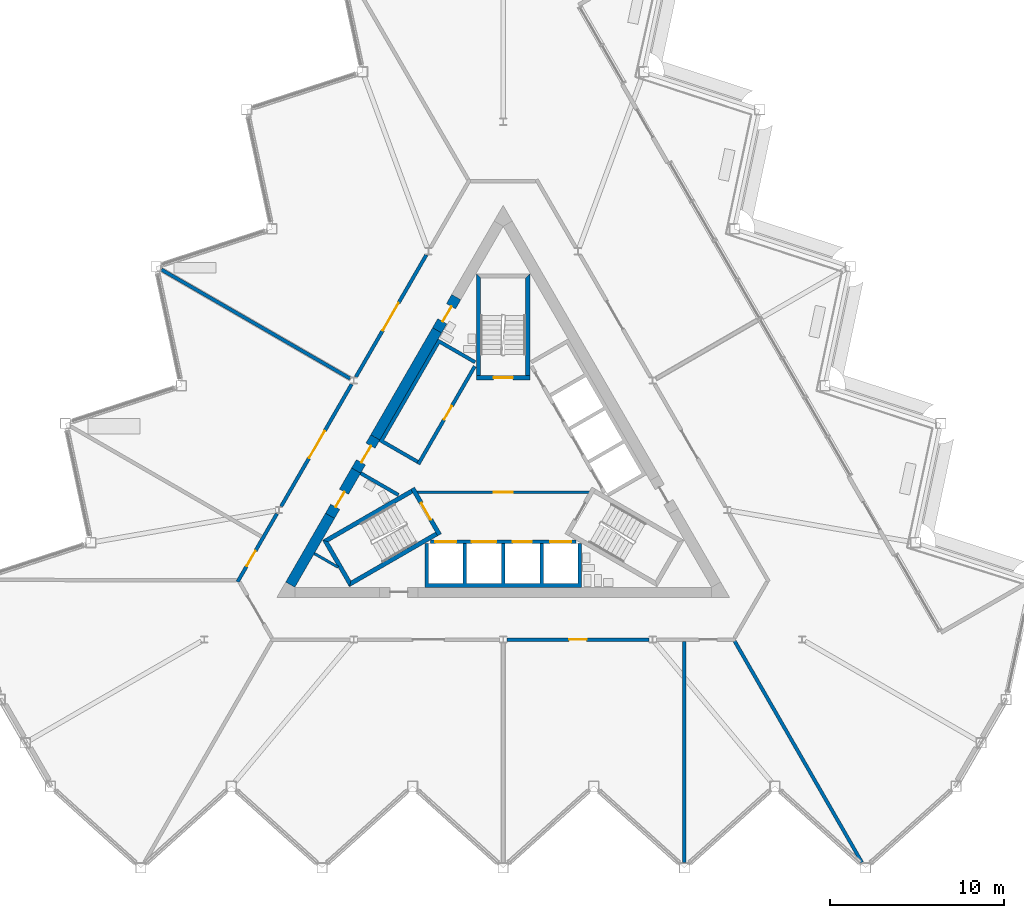
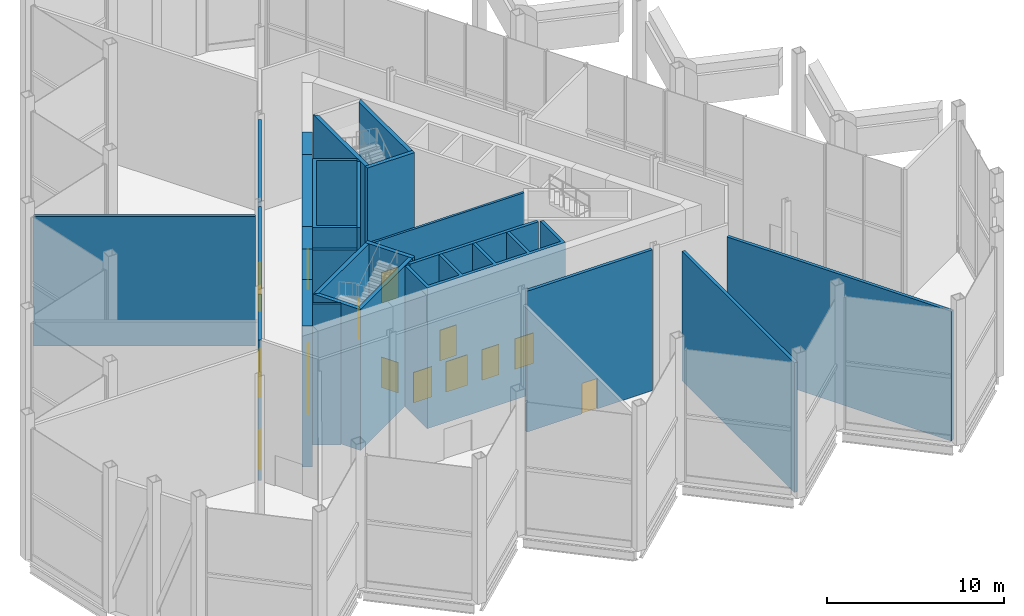
# One storey, part 9 of 18: 26 walls, 15 doors, 15 openings.
"""IFC4 building model written with IfcOpenShell, lengths in metres."""

from ifc_helpers import new_model, si_unit, direction, frame, frame_2d, origin, place, context, subcontext, project, spatial, polyline, rectangle, outline, extrude, material, layer, layer_set, type_object, element, fill, save


model = new_model("IFC4")

# Units and contexts
model_context = context("Model", 3, precision=1e-05, world=origin(), true_north=direction((0.0, 1.0)))
body_context = subcontext(model_context, "Body", "Model", "MODEL_VIEW")
ifc_project = project(units=[si_unit("LENGTHUNIT", "METRE"), si_unit("AREAUNIT", "SQUARE_METRE"), si_unit("VOLUMEUNIT", "CUBIC_METRE"), si_unit("PLANEANGLEUNIT", "RADIAN"), si_unit("MASSUNIT", "GRAM", prefix="KILO")], contexts=[model_context])

# Site, building, storey
site_placement = place(None, origin())
site = spatial("IfcSite", under=ifc_project, at=site_placement, CompositionType="ELEMENT")
building_placement = place(site_placement, origin())
building = spatial("IfcBuilding", under=site, at=building_placement, Name="Cormorant Prow Tower", CompositionType="ELEMENT")
storey_placement = place(building_placement, frame((0.0, 0.0, 346.0)))
storey = spatial("IfcBuildingStorey", under=building, at=storey_placement, Name="L78", CompositionType="ELEMENT", Elevation=346.0)

# Wall, opening, door
ifc_material_1 = material(Name="Gypsum board partition")
ifc_layer_1 = layer(ifc_material_1, 0.14990234375)
ifc_layer_set_1 = layer_set([ifc_layer_1], Name="Gypsum board partition")
wall_type_1 = type_object("IfcWallType", Name="Core partition 150", PredefinedType="PARTITIONING", material=ifc_layer_set_1)
wall_1_placement = place(storey_placement, frame((-4.941162109375, -1.449951171875, 0.0), z_axis=(0.0, 0.0, 1.0), x_axis=(1.0, 0.0, 0.0)))
wall_1 = element("IfcWall", 1, at=wall_1_placement, inside=storey, type_object=wall_type_1, Name="Firefighting lobby partition", PredefinedType="PARTITIONING", context=body_context, shape_type="SweptSolid", body=[
    extrude(rectangle(XDim=9.88232421875, YDim=0.14990234375, at=frame_2d((4.941162109375, 0.0))), origin(), (0.0, 0.0, 1.0), 9.699951171875),
])
opening_1_placement = place(wall_1_placement, frame((4.39111328125, 0.0, 0.0)))
opening_1 = element("IfcOpeningElement", 2, at=opening_1_placement, cuts=wall_1, Name="Opening L78-C10", PredefinedType="OPENING", context=body_context, shape_type="SweptSolid", body=[
    extrude(rectangle(XDim=1.10009765625, YDim=2.10009765625, at=frame_2d((0.550048828125, 1.050048828125))), frame((0.0, 0.0849609375, 0.0), z_axis=(0.0, -1.0, 0.0), x_axis=(1.0, 0.0, 0.0)), (0.0, 0.0, 1.0), 0.169921875),
])
ifc_material_2 = material(Name="Painted steel", Category="steel")
door_type_1 = type_object("IfcDoorType", Name="Firefighting lobby door 1100x2100", OperationType="NOTDEFINED", PredefinedType="DOOR", material=ifc_material_2)
door_1_placement = place(opening_1_placement, origin())
door_1 = element("IfcDoor", 3, at=door_1_placement, inside=storey, type_object=door_type_1, Name="Firefighting lobby door", OperationType="SINGLE_SWING_RIGHT", OverallHeight=2.10009765625, OverallWidth=1.10009765625, PredefinedType="DOOR", context=body_context, shape_type="SweptSolid", body=[
    extrude(rectangle(XDim=1.10009765625, YDim=2.10009765625, at=frame_2d((0.550048828125, 1.050048828125))), frame((0.0, 0.02490234375, 0.0), z_axis=(0.0, -1.0, 0.0), x_axis=(1.0, 0.0, 0.0)), (0.0, 0.0, 1.0), 0.050048828125),
])
fill(opening_1, door_1)

# Walls
wall_2_placement = place(storey_placement, frame((-10.841796875, -4.96728515625, 0.0), z_axis=(0.0, 0.0, 1.0), x_axis=(0.866098216386, -0.499873863663, 0.0)))
element("IfcWall", 4, at=wall_2_placement, inside=storey, type_object=wall_type_1, Name="Service room partition", PredefinedType="PARTITIONING", context=body_context, shape_type="SweptSolid", body=[
    extrude(rectangle(XDim=1.58203125, YDim=0.14990234375, at=frame_2d((0.791015625, 0.0))), origin(), (0.0, 0.0, 1.0), 9.699951171875),
])
ifc_material_3 = material(Name="Concrete 8000 psi", Category="concrete")
ifc_layer_2 = layer(ifc_material_3, 0.60009765625)
ifc_layer_set_2 = layer_set([ifc_layer_2], Name="Concrete 8000 psi")
wall_type_2 = type_object("IfcWallType", Name="Core shear wall 600", PredefinedType="SHEAR", material=ifc_layer_set_2)
wall_3_placement = place(storey_placement, frame((-3.794189453125, 7.839599609375, 0.0), z_axis=(0.0, 0.0, 1.0), x_axis=(-0.499974747889, -0.866039982607, 0.0)))
element("IfcWall", 5, at=wall_3_placement, inside=storey, type_object=wall_type_2, Name="Core wall", PredefinedType="SHEAR", context=body_context, shape_type="SweptSolid", body=[
    extrude(rectangle(XDim=7.092041015625, YDim=0.60009765625, at=frame_2d((3.5458984375, 0.0))), origin(), (0.0, 0.0, 1.0), 9.699951171875),
])
wall_4_placement = place(storey_placement, frame((-9.94091796875, -2.80712890625, 0.0), z_axis=(0.0, 0.0, 1.0), x_axis=(-0.500020646047, -0.866013483456, 0.0)))
element("IfcWall", 6, at=wall_4_placement, inside=storey, type_object=wall_type_2, Name="Core wall", PredefinedType="SHEAR", context=body_context, shape_type="SweptSolid", body=[
    extrude(rectangle(XDim=4.559326171875, YDim=0.60009765625, at=frame_2d((2.27978515625, 0.0))), origin(), (0.0, 0.0, 1.0), 9.699951171875),
])

# Wall, opening, door
wall_5_placement = place(storey_placement, frame((-8.440185546875, -0.207763671875, 0.0), z_axis=(0.0, 0.0, 1.0), x_axis=(-0.499997052475, -0.866027105532, 0.0)))
wall_5 = element("IfcWall", 7, at=wall_5_placement, inside=storey, type_object=wall_type_2, Name="Core wall door panel", PredefinedType="SHEAR", context=body_context, shape_type="SweptSolid", body=[
    extrude(rectangle(XDim=3.00146484375, YDim=0.60009765625, at=frame_2d((1.500732421875, 0.0))), origin(), (0.0, 0.0, 1.0), 9.699951171875),
])
opening_2_placement = place(wall_5_placement, frame((1.39990234375, 0.0, 0.0)))
opening_2 = element("IfcOpeningElement", 8, at=opening_2_placement, cuts=wall_5, Name="Opening L78-C16", PredefinedType="OPENING", context=body_context, shape_type="SweptSolid", body=[
    extrude(rectangle(XDim=1.0, YDim=2.10009765625, at=frame_2d((0.5, 1.050048828125))), frame((0.0, 0.31005859375, 0.0), z_axis=(0.0, -1.0, 0.0), x_axis=(1.0, 0.0, 0.0)), (0.0, 0.0, 1.0), 0.6201171875),
])
ifc_material_4 = material(Name="Painted steel", Category="steel")
door_type_2 = type_object("IfcDoorType", Name="Service door 1000x2100", OperationType="NOTDEFINED", PredefinedType="DOOR", material=ifc_material_4)
door_2_placement = place(opening_2_placement, origin())
door_2 = element("IfcDoor", 9, at=door_2_placement, inside=storey, type_object=door_type_2, Name="Core door, Accessible WC L78", OperationType="SINGLE_SWING_RIGHT", OverallHeight=2.10009765625, OverallWidth=1.0, PredefinedType="DOOR", context=body_context, shape_type="SweptSolid", body=[
    extrude(rectangle(XDim=1.0, YDim=2.10009765625, at=frame_2d((0.5, 1.050048828125))), frame((0.0, 0.05517578125, 0.0), z_axis=(0.0, -1.0, 0.0), x_axis=(1.0, 0.0, 0.0)), (0.0, 0.0, 1.0), 0.050048828125),
])
fill(opening_2, door_2)

wall_6_placement = place(storey_placement, frame((-2.694091796875, 9.744873046875, 0.0), z_axis=(0.0, 0.0, 1.0), x_axis=(-0.50002983664, -0.866008176907, 0.0)))
wall_6 = element("IfcWall", 10, at=wall_6_placement, inside=storey, type_object=wall_type_2, Name="Core wall door panel", PredefinedType="SHEAR", context=body_context, shape_type="SweptSolid", body=[
    extrude(rectangle(XDim=2.199951171875, YDim=0.60009765625, at=frame_2d((1.10009765625, 0.0))), origin(), (0.0, 0.0, 1.0), 9.699951171875),
])
opening_3_placement = place(wall_6_placement, frame((0.60009765625, 0.0, 0.0)))
opening_3 = element("IfcOpeningElement", 11, at=opening_3_placement, cuts=wall_6, Name="Opening L78-C17", PredefinedType="OPENING", context=body_context, shape_type="SweptSolid", body=[
    extrude(rectangle(XDim=1.0, YDim=2.10009765625, at=frame_2d((0.5, 1.050048828125))), frame((0.0, 0.31005859375, 0.0), z_axis=(0.0, -1.0, 0.0), x_axis=(1.0, 0.0, 0.0)), (0.0, 0.0, 1.0), 0.6201171875),
])
door_3_placement = place(opening_3_placement, origin())
door_3 = element("IfcDoor", 12, at=door_3_placement, inside=storey, type_object=door_type_2, Name="Core door, Toilets (men) L78", OperationType="SINGLE_SWING_LEFT", OverallHeight=2.10009765625, OverallWidth=1.0, PredefinedType="DOOR", context=body_context, shape_type="SweptSolid", body=[
    extrude(rectangle(XDim=1.0, YDim=2.10009765625, at=frame_2d((0.5, 1.050048828125))), frame((0.0, 0.05517578125, 0.0), z_axis=(0.0, -1.0, 0.0), x_axis=(1.0, 0.0, 0.0)), (0.0, 0.0, 1.0), 0.050048828125),
])
fill(opening_3, door_3)

wall_7_placement = place(storey_placement, frame((-7.340087890625, 1.697509765625, 0.0), z_axis=(0.0, 0.0, 1.0), x_axis=(-0.50002983664, -0.866008176907, 0.0)))
wall_7 = element("IfcWall", 13, at=wall_7_placement, inside=storey, type_object=wall_type_2, Name="Core wall door panel", PredefinedType="SHEAR", context=body_context, shape_type="SweptSolid", body=[
    extrude(rectangle(XDim=2.199951171875, YDim=0.60009765625, at=frame_2d((1.10009765625, 0.0))), origin(), (0.0, 0.0, 1.0), 9.699951171875),
])
opening_4_placement = place(wall_7_placement, frame((0.550048828125, 0.0, 0.0)))
opening_4 = element("IfcOpeningElement", 14, at=opening_4_placement, cuts=wall_7, Name="Opening L78-C18", PredefinedType="OPENING", context=body_context, shape_type="SweptSolid", body=[
    extrude(rectangle(XDim=1.10009765625, YDim=2.10009765625, at=frame_2d((0.550048828125, 1.050048828125))), frame((0.0, 0.31005859375, 0.0), z_axis=(0.0, -1.0, 0.0), x_axis=(1.0, 0.0, 0.0)), (0.0, 0.0, 1.0), 0.6201171875),
])
ifc_material_5 = material(Name="Painted steel", Category="steel")
door_type_3 = type_object("IfcDoorType", Name="Core door 1100x2100", OperationType="NOTDEFINED", PredefinedType="DOOR", material=ifc_material_5)
door_4_placement = place(opening_4_placement, origin())
door_4 = element("IfcDoor", 15, at=door_4_placement, inside=storey, type_object=door_type_3, Name="Core door, lift lobby", OperationType="SINGLE_SWING_RIGHT", OverallHeight=2.10009765625, OverallWidth=1.10009765625, PredefinedType="DOOR", context=body_context, shape_type="SweptSolid", body=[
    extrude(rectangle(XDim=1.10009765625, YDim=2.10009765625, at=frame_2d((0.550048828125, 1.050048828125))), frame((0.0, 0.05517578125, 0.0), z_axis=(0.0, -1.0, 0.0), x_axis=(1.0, 0.0, 0.0)), (0.0, 0.0, 1.0), 0.050048828125),
])
fill(opening_4, door_4)

ifc_material_6 = material(Name="Gypsum board corridor wall")
ifc_layer_3 = layer(ifc_material_6, 0.199951171875)
ifc_layer_set_3 = layer_set([ifc_layer_3], Name="Gypsum board corridor wall")
wall_type_3 = type_object("IfcWallType", Name="Corridor wall 200", PredefinedType="PARTITIONING", material=ifc_layer_set_3)
wall_8_placement = place(storey_placement, frame((0.207763671875, -9.905517578125, 0.0), z_axis=(0.0, 0.0, 1.0), x_axis=(1.0, 0.0, 0.0)))
wall_8 = element("IfcWall", 16, at=wall_8_placement, inside=storey, type_object=wall_type_3, Name="Corridor wall", PredefinedType="PARTITIONING", context=body_context, shape_type="SweptSolid", body=[
    extrude(rectangle(XDim=8.1630859375, YDim=0.199951171875, at=frame_2d((4.08154296875, 0.0))), origin(), (0.0, 0.0, 1.0), 9.699951171875),
])
opening_5_placement = place(wall_8_placement, frame((3.58154296875, 0.0, 0.0)))
opening_5 = element("IfcOpeningElement", 17, at=opening_5_placement, cuts=wall_8, Name="Opening L78-F02", PredefinedType="OPENING", context=body_context, shape_type="SweptSolid", body=[
    extrude(rectangle(XDim=1.0, YDim=2.10009765625, at=frame_2d((0.5, 1.050048828125))), frame((0.0, 0.10986328125, 0.0), z_axis=(0.0, -1.0, 0.0), x_axis=(1.0, 0.0, 0.0)), (0.0, 0.0, 1.0), 0.219970703125),
])
ifc_material_7 = material(Name="Timber door leaf", Category="wood")
door_type_4 = type_object("IfcDoorType", Name="Flat or room entrance door 1000x2100", OperationType="NOTDEFINED", PredefinedType="DOOR", material=ifc_material_7)
door_5_placement = place(opening_5_placement, origin())
door_5 = element("IfcDoor", 18, at=door_5_placement, inside=storey, type_object=door_type_4, Name="Refuge area door", OperationType="SINGLE_SWING_LEFT", OverallHeight=2.10009765625, OverallWidth=1.0, PredefinedType="DOOR", context=body_context, shape_type="SweptSolid", body=[
    extrude(rectangle(XDim=1.0, YDim=2.10009765625, at=frame_2d((0.5, 1.050048828125))), frame((0.0, 0.02490234375, 0.0), z_axis=(0.0, -1.0, 0.0), x_axis=(1.0, 0.0, 0.0)), (0.0, 0.0, 1.0), 0.050048828125),
])
fill(opening_5, door_5)

wall_9_placement = place(storey_placement, frame((-8.45849609375, 5.160400390625, 0.0), z_axis=(0.0, 0.0, 1.0), x_axis=(0.499984266882, 0.866034487114, 0.0)))
wall_9 = element("IfcWall", 19, at=wall_9_placement, inside=storey, type_object=wall_type_3, Name="Corridor wall", PredefinedType="PARTITIONING", context=body_context, shape_type="SweptSolid", body=[
    extrude(rectangle(XDim=8.098876953125, YDim=0.199951171875, at=frame_2d((4.04931640625, 0.0))), origin(), (0.0, 0.0, 1.0), 9.699951171875),
])
opening_6_placement = place(wall_9_placement, frame((3.0986328125, 0.0, 0.0)))
opening_6 = element("IfcOpeningElement", 20, at=opening_6_placement, cuts=wall_9, Name="Opening L78-F06", PredefinedType="OPENING", context=body_context, shape_type="SweptSolid", body=[
    extrude(rectangle(XDim=1.800048828125, YDim=2.10009765625, at=frame_2d((0.89990234375, 1.050048828125))), frame((0.0, 0.10986328125, 0.0), z_axis=(0.0, -1.0, 0.0), x_axis=(1.0, 0.0, 0.0)), (0.0, 0.0, 1.0), 0.219970703125),
])
ifc_material_8 = material(Name="Timber door leaf", Category="wood")
door_type_5 = type_object("IfcDoorType", Name="Double door 1800x2100", OperationType="DOUBLE_DOOR_SINGLE_SWING", PredefinedType="DOOR", material=ifc_material_8)
door_6_placement = place(opening_6_placement, origin())
door_6 = element("IfcDoor", 21, at=door_6_placement, inside=storey, type_object=door_type_5, Name="Kitchen door", OperationType="DOUBLE_DOOR_SINGLE_SWING", OverallHeight=2.10009765625, OverallWidth=1.800048828125, PredefinedType="DOOR", context=body_context, shape_type="SweptSolid", body=[
    extrude(rectangle(XDim=1.800048828125, YDim=2.10009765625, at=frame_2d((0.89990234375, 1.050048828125))), frame((0.0, 0.02490234375, 0.0), z_axis=(0.0, -1.0, 0.0), x_axis=(1.0, 0.0, 0.0)), (0.0, 0.0, 1.0), 0.050048828125),
])
fill(opening_6, door_6)

wall_10_placement = place(storey_placement, frame((-12.747802734375, -2.268798828125, 0.0), z_axis=(0.0, 0.0, 1.0), x_axis=(0.499984266882, 0.866034487114, 0.0)))
wall_10 = element("IfcWall", 22, at=wall_10_placement, inside=storey, type_object=wall_type_3, Name="Corridor wall", PredefinedType="PARTITIONING", context=body_context, shape_type="SweptSolid", body=[
    extrude(rectangle(XDim=8.098876953125, YDim=0.199951171875, at=frame_2d((4.04931640625, 0.0))), origin(), (0.0, 0.0, 1.0), 9.699951171875),
])
opening_7_placement = place(wall_10_placement, frame((3.2001953125, 0.0, 0.0)))
opening_7 = element("IfcOpeningElement", 23, at=opening_7_placement, cuts=wall_10, Name="Opening L78-F07", PredefinedType="OPENING", context=body_context, shape_type="SweptSolid", body=[
    extrude(rectangle(XDim=1.800048828125, YDim=2.10009765625, at=frame_2d((0.89990234375, 1.050048828125))), frame((0.0, 0.10986328125, 0.0), z_axis=(0.0, -1.0, 0.0), x_axis=(1.0, 0.0, 0.0)), (0.0, 0.0, 1.0), 0.219970703125),
])
door_7_placement = place(opening_7_placement, origin())
door_7 = element("IfcDoor", 24, at=door_7_placement, inside=storey, type_object=door_type_5, Name="Sky lobby door", OperationType="DOUBLE_DOOR_SINGLE_SWING", OverallHeight=2.10009765625, OverallWidth=1.800048828125, PredefinedType="DOOR", context=body_context, shape_type="SweptSolid", body=[
    extrude(rectangle(XDim=1.800048828125, YDim=2.10009765625, at=frame_2d((0.89990234375, 1.050048828125))), frame((0.0, 0.02490234375, 0.0), z_axis=(0.0, -1.0, 0.0), x_axis=(1.0, 0.0, 0.0)), (0.0, 0.0, 1.0), 0.050048828125),
])
fill(opening_7, door_7)

wall_11_placement = place(storey_placement, frame((-15.243896484375, -6.59228515625, 0.0), z_axis=(0.0, 0.0, 1.0), x_axis=(0.49999094734, 0.866030630277, 0.0)))
wall_11 = element("IfcWall", 25, at=wall_11_placement, inside=storey, type_object=wall_type_3, Name="Corridor wall", PredefinedType="PARTITIONING", context=body_context, shape_type="SweptSolid", body=[
    extrude(rectangle(XDim=4.5126953125, YDim=0.199951171875, at=frame_2d((2.25634765625, 0.0))), origin(), (0.0, 0.0, 1.0), 9.699951171875),
])
opening_8_placement = place(wall_11_placement, frame((1.053466796875, 0.0, 0.0)))
opening_8 = element("IfcOpeningElement", 26, at=opening_8_placement, cuts=wall_11, Name="Opening L78-F08", PredefinedType="OPENING", context=body_context, shape_type="SweptSolid", body=[
    extrude(rectangle(XDim=1.0, YDim=2.10009765625, at=frame_2d((0.5, 1.050048828125))), frame((0.0, 0.10986328125, 0.0), z_axis=(0.0, -1.0, 0.0), x_axis=(1.0, 0.0, 0.0)), (0.0, 0.0, 1.0), 0.219970703125),
])
door_8_placement = place(opening_8_placement, origin())
door_8 = element("IfcDoor", 27, at=door_8_placement, inside=storey, type_object=door_type_4, Name="Concierge office door", OperationType="SINGLE_SWING_RIGHT", OverallHeight=2.10009765625, OverallWidth=1.0, PredefinedType="DOOR", context=body_context, shape_type="SweptSolid", body=[
    extrude(rectangle(XDim=1.0, YDim=2.10009765625, at=frame_2d((0.5, 1.050048828125))), frame((0.0, 0.02490234375, 0.0), z_axis=(0.0, -1.0, 0.0), x_axis=(1.0, 0.0, 0.0)), (0.0, 0.0, 1.0), 0.050048828125),
])
fill(opening_8, door_8)

# Walls
ifc_material_9 = material(Name="Gypsum board demising wall")
ifc_layer_4 = layer(ifc_material_9, 0.199951171875)
ifc_layer_set_4 = layer_set([ifc_layer_4], Name="Gypsum board demising wall")
wall_type_4 = type_object("IfcWallType", Name="Demising wall 200", PredefinedType="PARTITIONING", material=ifc_layer_set_4)
wall_12_placement = place(storey_placement, frame((13.28076171875, -9.9921875, 0.0), z_axis=(0.0, 0.0, 1.0), x_axis=(0.498599735937, -0.866832338646, 0.0)))
element("IfcWall", 28, at=wall_12_placement, inside=storey, type_object=wall_type_4, Name="Demising wall", PredefinedType="PARTITIONING", context=body_context, shape_type="SweptSolid", body=[
    extrude(rectangle(XDim=14.65771484375, YDim=0.199951171875, at=frame_2d((7.328857421875, 0.0))), origin(), (0.0, 0.0, 1.0), 8.93017578125),
])
wall_13_placement = place(storey_placement, frame((10.398193359375, -22.697998046875, 0.0), z_axis=(0.0, 0.0, 1.0), x_axis=(0.0, 1.0, 0.0)))
element("IfcWall", 29, at=wall_13_placement, inside=storey, type_object=wall_type_4, Name="Demising wall", PredefinedType="PARTITIONING", context=body_context, shape_type="SweptSolid", body=[
    extrude(rectangle(XDim=12.6923828125, YDim=0.199951171875, at=frame_2d((6.34619140625, 0.0))), origin(), (0.0, 0.0, 1.0), 8.93017578125),
])
wall_14_placement = place(storey_placement, frame((-19.615478515625, 11.3251953125, 0.0), z_axis=(0.0, 0.0, 1.0), x_axis=(0.86602139559, -0.500006942333, 0.0)))
element("IfcWall", 30, at=wall_14_placement, inside=storey, type_object=wall_type_4, Name="Demising wall", PredefinedType="PARTITIONING", context=body_context, shape_type="SweptSolid", body=[
    extrude(rectangle(XDim=12.504638671875, YDim=0.199951171875, at=frame_2d((6.25244140625, 0.0))), origin(), (0.0, 0.0, 1.0), 8.93017578125),
])

# Wall, openings, doors
ifc_material_10 = material(Name="Concrete 5000 psi", Category="concrete")
ifc_layer_5 = layer(ifc_material_10, 0.199951171875)
ifc_layer_set_5 = layer_set([ifc_layer_5], Name="Concrete 5000 psi")
wall_type_5 = type_object("IfcWallType", Name="Lift lobby wall 200", PredefinedType="SOLIDWALL", material=ifc_layer_set_5)
wall_15_placement = place(storey_placement, frame((-4.1865234375, -4.300048828125, 0.0), z_axis=(0.0, 0.0, 1.0), x_axis=(1.0, 0.0, 0.0)))
wall_15 = element("IfcWall", 31, at=wall_15_placement, inside=storey, type_object=wall_type_5, Name="Lift lobby wall, S block", PredefinedType="SOLIDWALL", context=body_context, shape_type="SweptSolid", body=[
    extrude(rectangle(XDim=8.373046875, YDim=0.199951171875, at=frame_2d((4.1865234375, 0.0))), origin(), (0.0, 0.0, 1.0), 9.699951171875),
])
opening_9_placement = place(wall_15_placement, frame((0.28662109375, 0.0, 0.0)))
opening_9 = element("IfcOpeningElement", 32, at=opening_9_placement, cuts=wall_15, Name="Opening L78-C01", PredefinedType="OPENING", context=body_context, shape_type="SweptSolid", body=[
    extrude(rectangle(XDim=1.199951171875, YDim=2.10009765625, at=frame_2d((0.60009765625, 1.050048828125))), frame((0.0, 0.10986328125, 0.0), z_axis=(0.0, -1.0, 0.0), x_axis=(1.0, 0.0, 0.0)), (0.0, 0.0, 1.0), 0.219970703125),
])
opening_10_placement = place(wall_15_placement, frame((2.38671875, 0.0, 0.0)))
opening_10 = element("IfcOpeningElement", 33, at=opening_10_placement, cuts=wall_15, Name="Opening L78-C02", PredefinedType="OPENING", context=body_context, shape_type="SweptSolid", body=[
    extrude(rectangle(XDim=1.39990234375, YDim=2.10009765625, at=frame_2d((0.699951171875, 1.050048828125))), frame((0.0, 0.10986328125, 0.0), z_axis=(0.0, -1.0, 0.0), x_axis=(1.0, 0.0, 0.0)), (0.0, 0.0, 1.0), 0.219970703125),
])
opening_11_placement = place(wall_15_placement, frame((4.736572265625, 0.0, 0.0)))
opening_11 = element("IfcOpeningElement", 34, at=opening_11_placement, cuts=wall_15, Name="Opening L78-C03", PredefinedType="OPENING", context=body_context, shape_type="SweptSolid", body=[
    extrude(rectangle(XDim=1.10009765625, YDim=2.10009765625, at=frame_2d((0.550048828125, 1.050048828125))), frame((0.0, 0.10986328125, 0.0), z_axis=(0.0, -1.0, 0.0), x_axis=(1.0, 0.0, 0.0)), (0.0, 0.0, 1.0), 0.219970703125),
])
opening_12_placement = place(wall_15_placement, frame((6.88671875, 0.0, 0.0)))
opening_12 = element("IfcOpeningElement", 35, at=opening_12_placement, cuts=wall_15, Name="Opening L78-C04", PredefinedType="OPENING", context=body_context, shape_type="SweptSolid", body=[
    extrude(rectangle(XDim=1.199951171875, YDim=2.10009765625, at=frame_2d((0.60009765625, 1.050048828125))), frame((0.0, 0.10986328125, 0.0), z_axis=(0.0, -1.0, 0.0), x_axis=(1.0, 0.0, 0.0)), (0.0, 0.0, 1.0), 0.219970703125),
])
ifc_material_11 = material(Name="Painted steel", Category="steel")
door_type_6 = type_object("IfcDoorType", Name="Firefighting lift landing door 1200x2100", OperationType="SLIDING_TO_LEFT", PredefinedType="DOOR", material=ifc_material_11)
door_9_placement = place(opening_9_placement, origin())
door_9 = element("IfcDoor", 36, at=door_9_placement, inside=storey, type_object=door_type_6, Name="Landing door FL1", OperationType="SLIDING_TO_LEFT", OverallHeight=2.10009765625, OverallWidth=1.199951171875, PredefinedType="DOOR", context=body_context, shape_type="SweptSolid", body=[
    extrude(rectangle(XDim=1.199951171875, YDim=2.10009765625, at=frame_2d((0.60009765625, 1.050048828125))), frame((0.0, 0.02490234375, 0.0), z_axis=(0.0, -1.0, 0.0), x_axis=(1.0, 0.0, 0.0)), (0.0, 0.0, 1.0), 0.050048828125),
])
fill(opening_9, door_9)
door_10_placement = place(opening_12_placement, origin())
door_10 = element("IfcDoor", 37, at=door_10_placement, inside=storey, type_object=door_type_6, Name="Landing door FL2", OperationType="SLIDING_TO_LEFT", OverallHeight=2.10009765625, OverallWidth=1.199951171875, PredefinedType="DOOR", context=body_context, shape_type="SweptSolid", body=[
    extrude(rectangle(XDim=1.199951171875, YDim=2.10009765625, at=frame_2d((0.60009765625, 1.050048828125))), frame((0.0, 0.02490234375, 0.0), z_axis=(0.0, -1.0, 0.0), x_axis=(1.0, 0.0, 0.0)), (0.0, 0.0, 1.0), 0.050048828125),
])
fill(opening_12, door_10)
ifc_material_12 = material(Name="Painted steel", Category="steel")
door_type_7 = type_object("IfcDoorType", Name="Lift landing door 1100x2100", OperationType="SLIDING_TO_LEFT", PredefinedType="DOOR", material=ifc_material_12)
door_11_placement = place(opening_11_placement, origin())
door_11 = element("IfcDoor", 38, at=door_11_placement, inside=storey, type_object=door_type_7, Name="Landing door HR1", OperationType="SLIDING_TO_LEFT", OverallHeight=2.10009765625, OverallWidth=1.10009765625, PredefinedType="DOOR", context=body_context, shape_type="SweptSolid", body=[
    extrude(rectangle(XDim=1.10009765625, YDim=2.10009765625, at=frame_2d((0.550048828125, 1.050048828125))), frame((0.0, 0.02490234375, 0.0), z_axis=(0.0, -1.0, 0.0), x_axis=(1.0, 0.0, 0.0)), (0.0, 0.0, 1.0), 0.050048828125),
])
fill(opening_11, door_11)
ifc_material_13 = material(Name="Painted steel", Category="steel")
door_type_8 = type_object("IfcDoorType", Name="Service lift landing door 1400x2100", OperationType="SLIDING_TO_LEFT", PredefinedType="DOOR", material=ifc_material_13)
door_12_placement = place(opening_10_placement, origin())
door_12 = element("IfcDoor", 39, at=door_12_placement, inside=storey, type_object=door_type_8, Name="Landing door SL1", OperationType="SLIDING_TO_LEFT", OverallHeight=2.10009765625, OverallWidth=1.39990234375, PredefinedType="DOOR", context=body_context, shape_type="SweptSolid", body=[
    extrude(rectangle(XDim=1.39990234375, YDim=2.10009765625, at=frame_2d((0.699951171875, 1.050048828125))), frame((0.0, 0.02490234375, 0.0), z_axis=(0.0, -1.0, 0.0), x_axis=(1.0, 0.0, 0.0)), (0.0, 0.0, 1.0), 0.050048828125),
])
fill(opening_10, door_12)

# Wall, opening, door
wall_16_placement = place(storey_placement, frame((-1.630615234375, 5.775634765625, 0.0), z_axis=(0.0, 0.0, 1.0), x_axis=(-0.499992876559, -0.866029516466, 0.0)))
wall_16 = element("IfcWall", 40, at=wall_16_placement, inside=storey, type_object=wall_type_5, Name="Lift lobby wall, WNW block", PredefinedType="SOLIDWALL", context=body_context, shape_type="SweptSolid", body=[
    extrude(rectangle(XDim=6.486328125, YDim=0.199951171875, at=frame_2d((3.2431640625, 0.0))), origin(), (0.0, 0.0, 1.0), 9.699951171875),
])
opening_13_placement = place(wall_16_placement, frame((2.63671875, 0.0, 0.0)))
opening_13 = element("IfcOpeningElement", 41, at=opening_13_placement, cuts=wall_16, Name="Opening L78-C09", PredefinedType="OPENING", context=body_context, shape_type="SweptSolid", body=[
    extrude(rectangle(XDim=0.89990234375, YDim=2.10009765625, at=frame_2d((0.449951171875, 1.050048828125))), frame((0.0, 0.10986328125, 0.0), z_axis=(0.0, -1.0, 0.0), x_axis=(1.0, 0.0, 0.0)), (0.0, 0.0, 1.0), 0.219970703125),
])
ifc_material_14 = material(Name="Painted steel", Category="steel")
door_type_9 = type_object("IfcDoorType", Name="Service door 900x2100", OperationType="NOTDEFINED", PredefinedType="DOOR", material=ifc_material_14)
door_13_placement = place(opening_13_placement, origin())
door_13 = element("IfcDoor", 42, at=door_13_placement, inside=storey, type_object=door_type_9, Name="Service door, Pantry store", OperationType="SINGLE_SWING_LEFT", OverallHeight=2.10009765625, OverallWidth=0.89990234375, PredefinedType="DOOR", context=body_context, shape_type="SweptSolid", body=[
    extrude(rectangle(XDim=0.89990234375, YDim=2.10009765625, at=frame_2d((0.449951171875, 1.050048828125))), frame((0.0, 0.02490234375, 0.0), z_axis=(0.0, -1.0, 0.0), x_axis=(1.0, 0.0, 0.0)), (0.0, 0.0, 1.0), 0.050048828125),
])
fill(opening_13, door_13)

# Walls
ifc_material_15 = material(Name="Concrete 8000 psi", Category="concrete")
ifc_layer_6 = layer(ifc_material_15, 0.199951171875)
ifc_layer_set_6 = layer_set([ifc_layer_6], Name="Concrete 8000 psi")
wall_type_6 = type_object("IfcWallType", Name="Lift shaft wall 200", PredefinedType="SHEAR", material=ifc_layer_set_6)
wall_17_placement = place(storey_placement, origin())
element("IfcWall", 43, at=wall_17_placement, inside=storey, type_object=wall_type_6, Name="Lift shaft walls, S block", PredefinedType="SHEAR", context=body_context, shape_type="SweptSolid", body=[
    extrude(outline(polyline([(4.5, -4.39990234375), (4.5, -6.906005859375), (-4.5, -6.906005859375), (-4.5, -4.39990234375), (-4.300048828125, -4.39990234375), (-4.300048828125, -6.699951171875), (-2.300048828125, -6.699951171875), (-2.300048828125, -4.39990234375), (-2.10009765625, -4.39990234375), (-2.10009765625, -6.699951171875), (-0.10009765625, -6.699951171875), (-0.10009765625, -4.39990234375), (0.10009765625, -4.39990234375), (0.10009765625, -6.699951171875), (2.10009765625, -6.699951171875), (2.10009765625, -4.39990234375), (2.300048828125, -4.39990234375), (2.300048828125, -6.699951171875), (4.300048828125, -6.699951171875), (4.300048828125, -4.39990234375), (4.5, -4.39990234375)])), origin(), (0.0, 0.0, 1.0), 9.699951171875),
])
wall_18_placement = place(storey_placement, origin())
element("IfcWall", 44, at=wall_18_placement, inside=storey, type_object=wall_type_6, Name="Lift shaft walls, WNW block", PredefinedType="SHEAR", context=body_context, shape_type="SweptSolid", body=[
    extrude(outline(polyline([(-6.060546875, -1.697021484375), (-8.230712890625, -0.444091796875), (-8.130859375, -0.27099609375), (-5.96044921875, -1.52392578125), (-6.060546875, -1.697021484375)])), origin(), (0.0, 0.0, 1.0), 9.699951171875),
])
wall_19_placement = place(storey_placement, origin())
element("IfcWall", 45, at=wall_19_placement, inside=storey, type_object=wall_type_6, Name="Lift shaft walls, WNW block", PredefinedType="SHEAR", context=body_context, shape_type="SweptSolid", body=[
    extrude(outline(polyline([(-4.96044921875, 0.2080078125), (-7.130859375, 1.461181640625), (-3.730712890625, 7.35009765625), (-1.560546875, 6.09716796875), (-1.660400390625, 5.923828125), (-3.65234375, 7.073974609375), (-6.852294921875, 1.53125), (-4.860595703125, 0.38134765625), (-4.96044921875, 0.2080078125)])), origin(), (0.0, 0.0, 1.0), 9.699951171875),
])
ifc_material_16 = material(Name="Concrete 8000 psi", Category="concrete")
ifc_layer_7 = layer(ifc_material_16, 0.25)
ifc_layer_set_7 = layer_set([ifc_layer_7], Name="Concrete 8000 psi")
wall_type_7 = type_object("IfcWallType", Name="Stair wall 250", PredefinedType="SHEAR", material=ifc_layer_set_7)
wall_20_placement = place(storey_placement, origin())
element("IfcWall", 46, at=wall_20_placement, inside=storey, type_object=wall_type_7, Name="Stair ST1 enclosure wall (flank)", PredefinedType="SHEAR", context=body_context, shape_type="SweptSolid", body=[
    extrude(outline(polyline([(-5.30712890625, -1.28125), (-10.37353515625, -4.206298828125), (-10.031982421875, -4.2978515625), (-5.18212890625, -1.497802734375), (-5.30712890625, -1.28125)])), origin(), (0.0, 0.0, 1.0), 9.699951171875),
])
wall_21_placement = place(storey_placement, origin())
element("IfcWall", 47, at=wall_21_placement, inside=storey, type_object=wall_type_7, Name="Stair ST1 enclosure wall (end)", PredefinedType="SHEAR", context=body_context, shape_type="SweptSolid", body=[
    extrude(outline(polyline([(-10.37353515625, -4.206298828125), (-8.82958984375, -6.880615234375), (-8.738037109375, -6.5390625), (-10.031982421875, -4.2978515625), (-10.37353515625, -4.206298828125)])), origin(), (0.0, 0.0, 1.0), 9.699951171875),
])
wall_22_placement = place(storey_placement, origin())
element("IfcWall", 48, at=wall_22_placement, inside=storey, type_object=wall_type_7, Name="Stair ST1 enclosure wall (flank)", PredefinedType="SHEAR", context=body_context, shape_type="SweptSolid", body=[
    extrude(outline(polyline([(-8.738037109375, -6.5390625), (-8.82958984375, -6.880615234375), (-3.76318359375, -3.95556640625), (-3.88818359375, -3.739013671875), (-8.738037109375, -6.5390625)])), origin(), (0.0, 0.0, 1.0), 9.699951171875),
])

# Wall, opening, door
wall_23_placement = place(storey_placement, frame((-5.198974609375, -1.21875, 0.0), z_axis=(0.0, 0.0, 1.0), x_axis=(0.499982516597, -0.866035497597, 0.0)))
wall_23 = element("IfcWall", 49, at=wall_23_placement, inside=storey, type_object=wall_type_7, Name="Stair ST1 door wall", PredefinedType="SHEAR", context=body_context, shape_type="SweptSolid", body=[
    extrude(rectangle(XDim=3.087890625, YDim=0.25, at=frame_2d((1.5439453125, 0.0))), origin(), (0.0, 0.0, 1.0), 9.699951171875),
])
opening_14_placement = place(wall_23_placement, frame((0.993896484375, 0.0, 0.0)))
opening_14 = element("IfcOpeningElement", 50, at=opening_14_placement, cuts=wall_23, Name="Opening L78-C11", PredefinedType="OPENING", context=body_context, shape_type="SweptSolid", body=[
    extrude(rectangle(XDim=1.10009765625, YDim=2.10009765625, at=frame_2d((0.550048828125, 1.050048828125))), frame((0.0, 0.135009765625, 0.0), z_axis=(0.0, -1.0, 0.0), x_axis=(1.0, 0.0, 0.0)), (0.0, 0.0, 1.0), 0.27001953125),
])
ifc_material_17 = material(Name="Painted steel", Category="steel")
door_type_10 = type_object("IfcDoorType", Name="Stair door 1100x2100", OperationType="NOTDEFINED", PredefinedType="DOOR", material=ifc_material_17)
door_14_placement = place(opening_14_placement, origin())
door_14 = element("IfcDoor", 51, at=door_14_placement, inside=storey, type_object=door_type_10, Name="Stair ST1 door", OperationType="SINGLE_SWING_LEFT", OverallHeight=2.10009765625, OverallWidth=1.10009765625, PredefinedType="DOOR", context=body_context, shape_type="SweptSolid", body=[
    extrude(rectangle(XDim=1.10009765625, YDim=2.10009765625, at=frame_2d((0.550048828125, 1.050048828125))), frame((0.0, 0.02490234375, 0.0), z_axis=(0.0, -1.0, 0.0), x_axis=(1.0, 0.0, 0.0)), (0.0, 0.0, 1.0), 0.050048828125),
])
fill(opening_14, door_14)

# Walls
wall_24_placement = place(storey_placement, origin())
element("IfcWall", 52, at=wall_24_placement, inside=storey, type_object=wall_type_7, Name="Stair ST3 enclosure wall (flank)", PredefinedType="SHEAR", context=body_context, shape_type="SweptSolid", body=[
    extrude(outline(polyline([(1.5439453125, 5.23681640625), (1.5439453125, 11.0869140625), (1.2939453125, 10.8369140625), (1.2939453125, 5.23681640625), (1.5439453125, 5.23681640625)])), origin(), (0.0, 0.0, 1.0), 9.699951171875),
])
wall_25_placement = place(storey_placement, origin())
element("IfcWall", 53, at=wall_25_placement, inside=storey, type_object=wall_type_7, Name="Stair ST3 enclosure wall (flank)", PredefinedType="SHEAR", context=body_context, shape_type="SweptSolid", body=[
    extrude(outline(polyline([(-1.2939453125, 10.8369140625), (-1.5439453125, 11.0869140625), (-1.5439453125, 5.23681640625), (-1.2939453125, 5.23681640625), (-1.2939453125, 10.8369140625)])), origin(), (0.0, 0.0, 1.0), 9.699951171875),
])

# Wall, opening, door
wall_26_placement = place(storey_placement, frame((1.5439453125, 5.11181640625, 0.0), z_axis=(0.0, 0.0, 1.0), x_axis=(-1.0, 0.0, 0.0)))
wall_26 = element("IfcWall", 54, at=wall_26_placement, inside=storey, type_object=wall_type_7, Name="Stair ST3 door wall", PredefinedType="SHEAR", context=body_context, shape_type="SweptSolid", body=[
    extrude(rectangle(XDim=3.087890625, YDim=0.25, at=frame_2d((1.5439453125, 0.0))), origin(), (0.0, 0.0, 1.0), 9.699951171875),
])
opening_15_placement = place(wall_26_placement, frame((0.993896484375, 0.0, 0.0)))
opening_15 = element("IfcOpeningElement", 55, at=opening_15_placement, cuts=wall_26, Name="Opening L78-C13", PredefinedType="OPENING", context=body_context, shape_type="SweptSolid", body=[
    extrude(rectangle(XDim=1.10009765625, YDim=2.10009765625, at=frame_2d((0.550048828125, 1.050048828125))), frame((0.0, 0.135009765625, 0.0), z_axis=(0.0, -1.0, 0.0), x_axis=(1.0, 0.0, 0.0)), (0.0, 0.0, 1.0), 0.27001953125),
])
door_15_placement = place(opening_15_placement, origin())
door_15 = element("IfcDoor", 56, at=door_15_placement, inside=storey, type_object=door_type_10, Name="Stair ST3 door", OperationType="SINGLE_SWING_RIGHT", OverallHeight=2.10009765625, OverallWidth=1.10009765625, PredefinedType="DOOR", context=body_context, shape_type="SweptSolid", body=[
    extrude(rectangle(XDim=1.10009765625, YDim=2.10009765625, at=frame_2d((0.550048828125, 1.050048828125))), frame((0.0, 0.02490234375, 0.0), z_axis=(0.0, -1.0, 0.0), x_axis=(1.0, 0.0, 0.0)), (0.0, 0.0, 1.0), 0.050048828125),
])
fill(opening_15, door_15)

save(model, "model.ifc")
